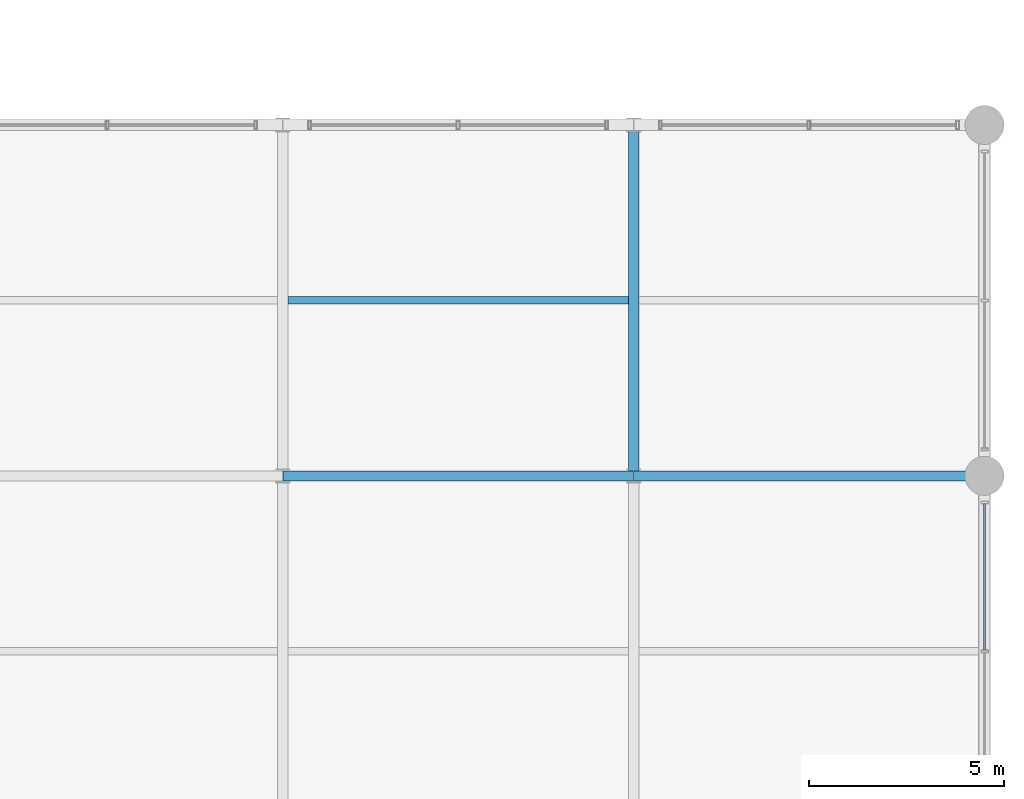
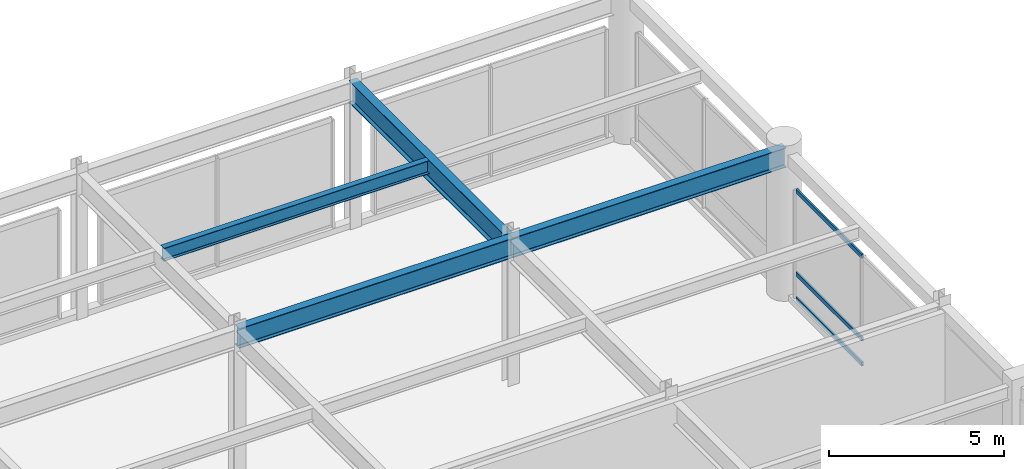
# One storey, part 48 of 100: 4 beams, 3 members, 1 element without a shape of its own.
"""IFC4 building model written with IfcOpenShell, lengths in metres."""

from ifc_helpers import new_model, si_unit, direction, frame, origin, origin_2d, place, context, subcontext, project, spatial, hollow_rectangle, i_section, extrude, material, material_profile, profile_set, type_object, element, aggregate, save


model = new_model("IFC4")

# Units and contexts
model_context = context("Model", 3, precision=1e-05, world=origin(), true_north=direction((0.0, 1.0)))
body_context = subcontext(model_context, "Body", "Model", "MODEL_VIEW")
ifc_project = project(units=[si_unit("LENGTHUNIT", "METRE"), si_unit("AREAUNIT", "SQUARE_METRE"), si_unit("VOLUMEUNIT", "CUBIC_METRE"), si_unit("PLANEANGLEUNIT", "RADIAN"), si_unit("MASSUNIT", "GRAM", prefix="KILO")], contexts=[model_context])

# Site, building, storey
site_placement = place(None, origin())
site = spatial("IfcSite", under=ifc_project, at=site_placement, CompositionType="ELEMENT")
building_placement = place(site_placement, origin())
building = spatial("IfcBuilding", under=site, at=building_placement, Name="Kaldorvane Square Convention Centre", CompositionType="ELEMENT")
storey_placement = place(building_placement, frame((0.0, 0.0, 18.0)))
storey = spatial("IfcBuildingStorey", under=building, at=storey_placement, Name="L03", CompositionType="ELEMENT", Elevation=18.0)

# Beams
ifc_material_1 = material(Name="Steel ASTM A992 Gr. 50", Category="steel")
ifc_material_profile_1 = material_profile(ifc_material_1, i_section(OverallWidth=0.25439453125, OverallDepth=0.6880950927734375, WebThickness=0.0131072998046875, FlangeThickness=0.0211029052734375, FilletRadius=0.01519775390625, at=origin_2d()), Name="W27X102")
ifc_profile_set_1 = profile_set([ifc_material_profile_1], Name="Steel ASTM A992 Gr. 50")
beam_type_1 = type_object("IfcBeamType", Name="BM-GR-W27X102", PredefinedType="BEAM", material=ifc_profile_set_1)
for number, where, z_axis, x_axis, name in (
    (1, (156.0, 27.0, 4.731903076171875), (1.0, 0.0, 0.0), (0.0, 1.0, 0.0), "Primary Girder (L03)"),
    (2, (165.0, 27.0, 4.731903076171875), (1.0, 0.0, 0.0), (0.0, 1.0, 0.0), "Primary Girder (L03)"),
):
    element("IfcBeam", number, at=place(storey_placement, frame(where, z_axis=z_axis, x_axis=x_axis)), inside=storey, type_object=beam_type_1, Name=name, PredefinedType="BEAM", context=body_context, shape_type="SweptSolid", body=[
        extrude(i_section(OverallWidth=0.25439453125, OverallDepth=0.6880950927734375, WebThickness=0.0131072998046875, FlangeThickness=0.0211029052734375, FilletRadius=0.01519775390625, at=origin_2d()), origin(), (0.0, 0.0, 1.0), 9.0),
    ])
ifc_material_profile_2 = material_profile(ifc_material_1, i_section(OverallWidth=0.2666015625, OverallDepth=0.762298583984375, WebThickness=0.014404296875, FlangeThickness=0.0216064453125, FilletRadius=0.0164947509765625, at=origin_2d()), Name="W30X116")
ifc_profile_set_2 = profile_set([ifc_material_profile_2], Name="Steel ASTM A992 Gr. 50")
beam_type_2 = type_object("IfcBeamType", Name="BM-GR-W30X116", PredefinedType="BEAM", material=ifc_profile_set_2)
beam_1_placement = place(storey_placement, frame((165.0, 27.0, 4.694793701171875), z_axis=(0.0, 1.0, 0.0), x_axis=(-1.0, 0.0, 0.0)))
element("IfcBeam", 3, at=beam_1_placement, inside=storey, type_object=beam_type_2, Name="Transverse Girder (L03)", PredefinedType="BEAM", context=body_context, shape_type="SweptSolid", body=[
    extrude(i_section(OverallWidth=0.2666015625, OverallDepth=0.762298583984375, WebThickness=0.014404296875, FlangeThickness=0.0216064453125, FilletRadius=0.0164947509765625, at=origin_2d()), origin(), (0.0, 0.0, 1.0), 9.0),
])
ifc_material_profile_3 = material_profile(ifc_material_1, i_section(OverallWidth=0.1912994384765625, OverallDepth=0.4600067138671875, WebThickness=0.0099029541015625, FlangeThickness=0.0160064697265625, FilletRadius=0.01019287109375, at=origin_2d()), Name="W18X55")
ifc_profile_set_3 = profile_set([ifc_material_profile_3], Name="Steel ASTM A992 Gr. 50")
beam_type_3 = type_object("IfcBeamType", Name="BM-JS-W18X55", PredefinedType="JOIST", material=ifc_profile_set_3)
beam_2_placement = place(storey_placement, frame((156.13330078125, 31.5, 4.8459930419921875), z_axis=(1.0, 0.0, 0.0), x_axis=(0.0, 1.0, 0.0)))
element("IfcBeam", 4, at=beam_2_placement, inside=storey, type_object=beam_type_3, Name="Secondary Floor Joist (L03)", PredefinedType="JOIST", context=body_context, shape_type="SweptSolid", body=[
    extrude(i_section(OverallWidth=0.1912994384765625, OverallDepth=0.4600067138671875, WebThickness=0.0099029541015625, FlangeThickness=0.0160064697265625, FilletRadius=0.01019287109375, at=origin_2d()), origin(), (0.0, 0.0, 1.0), 8.7333984375),
])

# Curtain wall, members
ifc_material_2 = material(Name="Anodized Aluminum and Low-E Insulated Glazing", Category="aluminium")
curtain_wall_type = type_object("IfcCurtainWallType", Name="CW-UNI-P54-09", PredefinedType="USERDEFINED", material=ifc_material_2)
curtain_wall_placement = place(storey_placement, origin())
curtain_wall = element("IfcCurtainWall", 5, at=curtain_wall_placement, inside=storey, type_object=curtain_wall_type, Name="Curtain Wall CW-04 (L03)", ObjectType="UNITISED GLAZING", PredefinedType="USERDEFINED")
ifc_material_profile_4 = material_profile(ifc_material_2, hollow_rectangle(XDim=0.05999755859375, YDim=0.149993896484375, WallThickness=0.003204345703125, at=origin_2d()), Name="CWT-150X60")
ifc_profile_set_4 = profile_set([ifc_material_profile_4], Name="Anodized Aluminum and Low-E Insulated Glazing")
member_type = type_object("IfcMemberType", Name="CW-TRN-150", PredefinedType="USERDEFINED", material=ifc_profile_set_4)
member_1_placement = place(storey_placement, frame((174.0, 22.532501220703125, 0.17999267578125), z_axis=(0.0, 1.0, 0.0), x_axis=(-1.0, 0.0, 0.0)))
member_1 = element("IfcMember", 6, at=member_1_placement, type_object=member_type, Name="CW-04 transom 2.1", ObjectType="TRANSOM", PredefinedType="USERDEFINED", context=body_context, shape_type="SweptSolid", body=[
    extrude(hollow_rectangle(XDim=0.05999755859375, YDim=0.149993896484375, WallThickness=0.003204345703125, at=origin_2d()), origin(), (0.0, 0.0, 1.0), 3.75250244140625),
])
member_2_placement = place(storey_placement, frame((174.0, 22.532501220703125, 1.0500030517578125), z_axis=(0.0, 1.0, 0.0), x_axis=(-1.0, 0.0, 0.0)))
member_2 = element("IfcMember", 7, at=member_2_placement, type_object=member_type, Name="CW-04 transom 2.2", ObjectType="TRANSOM", PredefinedType="USERDEFINED", context=body_context, shape_type="SweptSolid", body=[
    extrude(hollow_rectangle(XDim=0.05999755859375, YDim=0.149993896484375, WallThickness=0.003204345703125, at=origin_2d()), origin(), (0.0, 0.0, 1.0), 3.75250244140625),
])
member_3_placement = place(storey_placement, frame((174.0, 22.532501220703125, 3.92999267578125), z_axis=(0.0, 1.0, 0.0), x_axis=(-1.0, 0.0, 0.0)))
member_3 = element("IfcMember", 8, at=member_3_placement, type_object=member_type, Name="CW-04 transom 2.3", ObjectType="TRANSOM", PredefinedType="USERDEFINED", context=body_context, shape_type="SweptSolid", body=[
    extrude(hollow_rectangle(XDim=0.05999755859375, YDim=0.149993896484375, WallThickness=0.003204345703125, at=origin_2d()), origin(), (0.0, 0.0, 1.0), 3.75250244140625),
])
aggregate(curtain_wall, [member_1, member_2, member_3])

save(model, "model.ifc")
